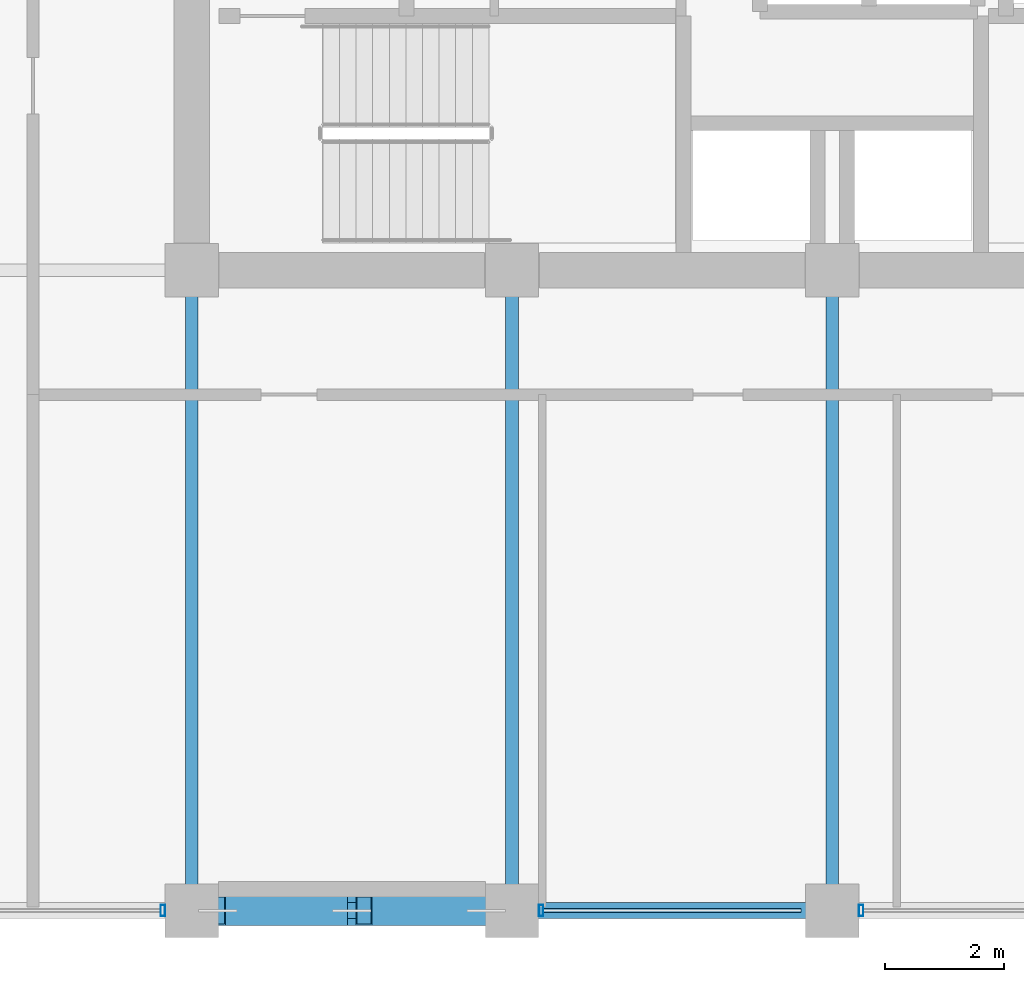
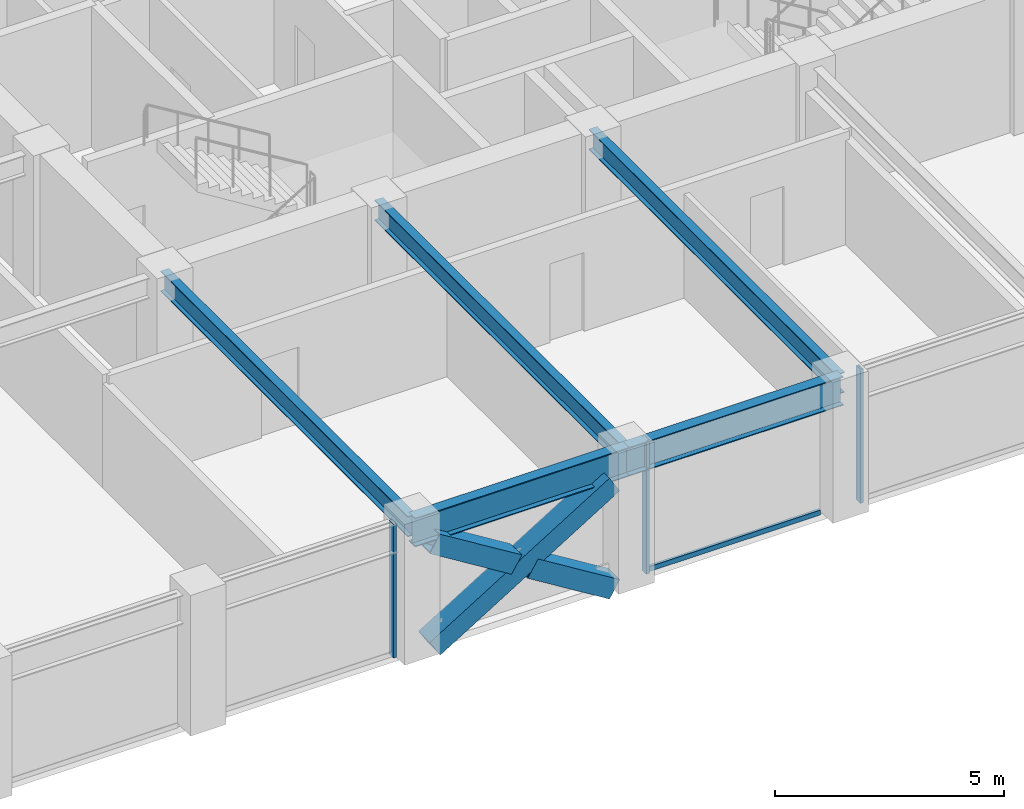
# One storey, part 4 of 28: 7 members, 5 beams, 2 elements without a shape of their own.
"""IFC4 building model written with IfcOpenShell, lengths in metres."""

from ifc_helpers import new_model, si_unit, direction, frame, origin, origin_2d, place, context, subcontext, project, spatial, hollow_rectangle, i_section, extrude, material, layer, layer_set, material_profile, profile_set, type_object, element, aggregate, save


model = new_model("IFC4")

# Units and contexts
model_context = context("Model", 3, precision=1e-05, world=origin(), true_north=direction((0.0, 1.0)))
body_context = subcontext(model_context, "Body", "Model", "MODEL_VIEW")
ifc_project = project(units=[si_unit("LENGTHUNIT", "METRE"), si_unit("AREAUNIT", "SQUARE_METRE"), si_unit("VOLUMEUNIT", "CUBIC_METRE"), si_unit("PLANEANGLEUNIT", "RADIAN"), si_unit("MASSUNIT", "GRAM", prefix="KILO")], contexts=[model_context])

# Site, building, storey
site_placement = place(None, origin())
site = spatial("IfcSite", under=ifc_project, at=site_placement, CompositionType="ELEMENT")
building_placement = place(site_placement, origin())
building = spatial("IfcBuilding", under=site, at=building_placement, Name="Surkhivell Harbour Commons", CompositionType="ELEMENT")
storey_placement = place(building_placement, frame((0.0, 0.0, 182.25)))
storey = spatial("IfcBuildingStorey", under=building, at=storey_placement, Name="L47", CompositionType="ELEMENT", Elevation=182.25)

# Beams
ifc_material_1 = material(Name="Steel S355", Category="steel")
ifc_material_profile_1 = material_profile(ifc_material_1, i_section(OverallWidth=0.2119140625, OverallDepth=0.5439453125, WebThickness=0.0126953125, FlangeThickness=0.021240234375, at=origin_2d()), Name="UB533x210x122")
ifc_profile_set_1 = profile_set([ifc_material_profile_1], Name="Steel S355")
beam_type_1 = type_object("IfcBeamType", Name="BM-GRD-533A", PredefinedType="BEAM", material=ifc_profile_set_1)
for number, where, z_axis, x_axis, name in (
    (1, (-10.800048828125, -21.60009765625, 3.298095703125), (0.0, 1.0, 0.0), (-1.0, 0.0, 0.0), "L47 Floor Girder (-10.8,-21.6)"),
    (2, (-5.39990234375, -21.60009765625, 3.298095703125), (0.0, 1.0, 0.0), (-1.0, 0.0, 0.0), "L47 Floor Girder (-5.4,-21.6)"),
    (3, (0.0, -21.60009765625, 3.298095703125), (0.0, 1.0, 0.0), (-1.0, 0.0, 0.0), "L47 Floor Girder (0.0,-21.6)"),
):
    element("IfcBeam", number, at=place(storey_placement, frame(where, z_axis=z_axis, x_axis=x_axis)), inside=storey, type_object=beam_type_1, Name=name, PredefinedType="BEAM", context=body_context, shape_type="SweptSolid", body=[
        extrude(i_section(OverallWidth=0.2119140625, OverallDepth=0.5439453125, WebThickness=0.0126953125, FlangeThickness=0.021240234375, at=origin_2d()), origin(), (0.0, 0.0, 1.0), 10.800048828125),
    ])
ifc_material_profile_2 = material_profile(ifc_material_1, i_section(OverallWidth=0.26806640625, OverallDepth=0.77001953125, WebThickness=0.015625, FlangeThickness=0.025390625, at=origin_2d()), Name="UB762x267x197")
ifc_profile_set_2 = profile_set([ifc_material_profile_2], Name="Steel S355")
beam_type_2 = type_object("IfcBeamType", Name="BM-SPN-762", PredefinedType="SPANDREL", material=ifc_profile_set_2)
beam_1_placement = place(storey_placement, frame((-10.800048828125, -21.60009765625, 3.18505859375), z_axis=(1.0, 0.0, 0.0), x_axis=(0.0, 1.0, 0.0)))
element("IfcBeam", 4, at=beam_1_placement, inside=storey, type_object=beam_type_2, Name="L47 Tube Spandrel (-10.8,-21.6)", PredefinedType="SPANDREL", context=body_context, shape_type="SweptSolid", body=[
    extrude(i_section(OverallWidth=0.26806640625, OverallDepth=0.77001953125, WebThickness=0.015625, FlangeThickness=0.025390625, at=origin_2d()), origin(), (0.0, 0.0, 1.0), 5.400146484375),
])
beam_2_placement = place(storey_placement, frame((-5.39990234375, -21.60009765625, 3.18505859375), z_axis=(1.0, 0.0, 0.0), x_axis=(0.0, 1.0, 0.0)))
element("IfcBeam", 5, at=beam_2_placement, inside=storey, type_object=beam_type_2, Name="L47 Tube Spandrel (-5.4,-21.6)", PredefinedType="SPANDREL", context=body_context, shape_type="SweptSolid", body=[
    extrude(i_section(OverallWidth=0.26806640625, OverallDepth=0.77001953125, WebThickness=0.015625, FlangeThickness=0.025390625, at=origin_2d()), origin(), (0.0, 0.0, 1.0), 5.39990234375),
])

# Curtain wall, member
ifc_material_2 = material(Name="Anodised pale-metal aluminium and insulated glazing", Category="aluminium")
ifc_layer = layer(ifc_material_2, 0.18994140625)
ifc_layer_set = layer_set([ifc_layer], Name="Anodised pale-metal aluminium and insulated glazing")
curtain_wall_type = type_object("IfcCurtainWallType", Name="CW-SYS-Z3", PredefinedType="NOTDEFINED", material=ifc_layer_set)
curtain_wall_1_placement = place(storey_placement, origin())
curtain_wall_1 = element("IfcCurtainWall", 6, at=curtain_wall_1_placement, inside=storey, type_object=curtain_wall_type, Name="L47 Curtain Wall CW-L47-E00S1", PredefinedType="NOTDEFINED")
ifc_material_3 = material(Name="Anodised pale-metal aluminium alloy 6063-T6", Category="aluminium")
ifc_material_profile_3 = material_profile(ifc_material_3, hollow_rectangle(XDim=0.074951171875, YDim=0.18994140625, WallThickness=0.00390625, at=origin_2d()), Name="ALU-MULL-75x190")
ifc_profile_set_3 = profile_set([ifc_material_profile_3], Name="Anodised pale-metal aluminium alloy 6063-T6")
member_type_1 = type_object("IfcMemberType", Name="CWM-190", PredefinedType="MULLION", material=ifc_profile_set_3)
member_1_placement = place(storey_placement, frame((-11.28955078125, -21.60009765625, 0.0), z_axis=(0.0, 0.0, 1.0), x_axis=(1.0, 0.0, 0.0)))
member_1 = element("IfcMember", 7, at=member_1_placement, type_object=member_type_1, Name="CW-Z3 mullion 3", PredefinedType="MULLION", context=body_context, shape_type="SweptSolid", body=[
    extrude(hollow_rectangle(XDim=0.074951171875, YDim=0.18994140625, WallThickness=0.00390625, at=origin_2d()), origin(), (0.0, 0.0, 1.0), 3.570068359375),
])
aggregate(curtain_wall_1, [member_1])

# Curtain wall, members
curtain_wall_2_placement = place(storey_placement, origin())
curtain_wall_2 = element("IfcCurtainWall", 8, at=curtain_wall_2_placement, inside=storey, type_object=curtain_wall_type, Name="L47 Curtain Wall CW-L47-E00S2", PredefinedType="NOTDEFINED")
member_2_placement = place(storey_placement, frame((-4.910400390625, -21.60009765625, 0.0), z_axis=(0.0, 0.0, 1.0), x_axis=(1.0, 0.0, 0.0)))
member_2 = element("IfcMember", 9, at=member_2_placement, type_object=member_type_1, Name="CW-Z3 mullion 1", PredefinedType="MULLION", context=body_context, shape_type="SweptSolid", body=[
    extrude(hollow_rectangle(XDim=0.074951171875, YDim=0.18994140625, WallThickness=0.00390625, at=origin_2d()), origin(), (0.0, 0.0, 1.0), 3.570068359375),
])
member_3_placement = place(storey_placement, frame((0.489501953125, -21.60009765625, 0.0), z_axis=(0.0, 0.0, 1.0), x_axis=(1.0, 0.0, 0.0)))
member_3 = element("IfcMember", 10, at=member_3_placement, type_object=member_type_1, Name="CW-Z3 mullion 2", PredefinedType="MULLION", context=body_context, shape_type="SweptSolid", body=[
    extrude(hollow_rectangle(XDim=0.074951171875, YDim=0.18994140625, WallThickness=0.00390625, at=origin_2d()), origin(), (0.0, 0.0, 1.0), 3.570068359375),
])
ifc_material_4 = material(Name="Champagne anodised aluminium alloy 6063-T6", Category="aluminium")
ifc_material_profile_4 = material_profile(ifc_material_4, hollow_rectangle(XDim=0.070068359375, YDim=0.1298828125, WallThickness=0.00341796875, at=origin_2d()), Name="ALU-TRAN-70x130")
ifc_profile_set_4 = profile_set([ifc_material_profile_4], Name="Champagne anodised aluminium alloy 6063-T6")
member_type_2 = type_object("IfcMemberType", Name="CWT-130", PredefinedType="USERDEFINED", material=ifc_profile_set_4)
member_4_placement = place(storey_placement, frame((-4.873046875, -21.60009765625, 0.06494140625), z_axis=(1.0, 0.0, 0.0), x_axis=(0.0, 1.0, 0.0)))
member_4 = element("IfcMember", 11, at=member_4_placement, type_object=member_type_2, Name="CW-Z3 transom 1.1", ObjectType="TRANSOM", PredefinedType="USERDEFINED", context=body_context, shape_type="SweptSolid", body=[
    extrude(hollow_rectangle(XDim=0.070068359375, YDim=0.1298828125, WallThickness=0.00341796875, at=origin_2d()), origin(), (0.0, 0.0, 1.0), 4.345947265625),
])
aggregate(curtain_wall_2, [member_2, member_4, member_3])

# Members
ifc_material_5 = material(Name="Steel S460", Category="steel")
ifc_material_profile_5 = material_profile(ifc_material_5, hollow_rectangle(XDim=0.5, YDim=0.5, WallThickness=0.02490234375, at=origin_2d()), Name="SHS500x500x25")
ifc_profile_set_5 = profile_set([ifc_material_profile_5], Name="Steel S460")
member_type_3 = type_object("IfcMemberType", Name="MEM-BRC-SHS500", PredefinedType="BRACE", material=ifc_profile_set_5)
member_5_placement = place(storey_placement, frame((-10.364990234375, -21.60009765625, 0.008056640625), z_axis=(0.850971032488, 0.0, 0.525212625387), x_axis=(0.0, 1.0, 0.0)))
element("IfcMember", 12, at=member_5_placement, inside=storey, type_object=member_type_3, Name="L47 Perimeter Mega-Brace MB- 07", PredefinedType="BRACE", context=body_context, shape_type="SweptSolid", body=[
    extrude(hollow_rectangle(XDim=0.5, YDim=0.5, WallThickness=0.02490234375, at=origin_2d()), origin(), (0.0, 0.0, 1.0), 5.323486328125),
])
for number, where, z_axis, x_axis, name in (
    (13, (-5.8349609375, -21.60009765625, 0.008056640625), (-0.8510034189, 0.0, 0.525160147974), (0.0, -1.0, 0.0), "L47 Perimeter Mega-Brace MB- 08"),
    (14, (-8.30419921875, -21.60009765625, 1.531982421875), (-0.850958361341, 0.0, 0.525233155146), (0.0, -1.0, 0.0), "L47 Perimeter Mega-Brace MB- 09"),
):
    element("IfcMember", number, at=place(storey_placement, frame(where, z_axis=z_axis, x_axis=x_axis)), inside=storey, type_object=member_type_3, Name=name, PredefinedType="BRACE", context=body_context, shape_type="SweptSolid", body=[
        extrude(hollow_rectangle(XDim=0.5, YDim=0.5, WallThickness=0.02490234375, at=origin_2d()), origin(), (0.0, 0.0, 1.0), 2.421630859375),
    ])

save(model, "model.ifc")
